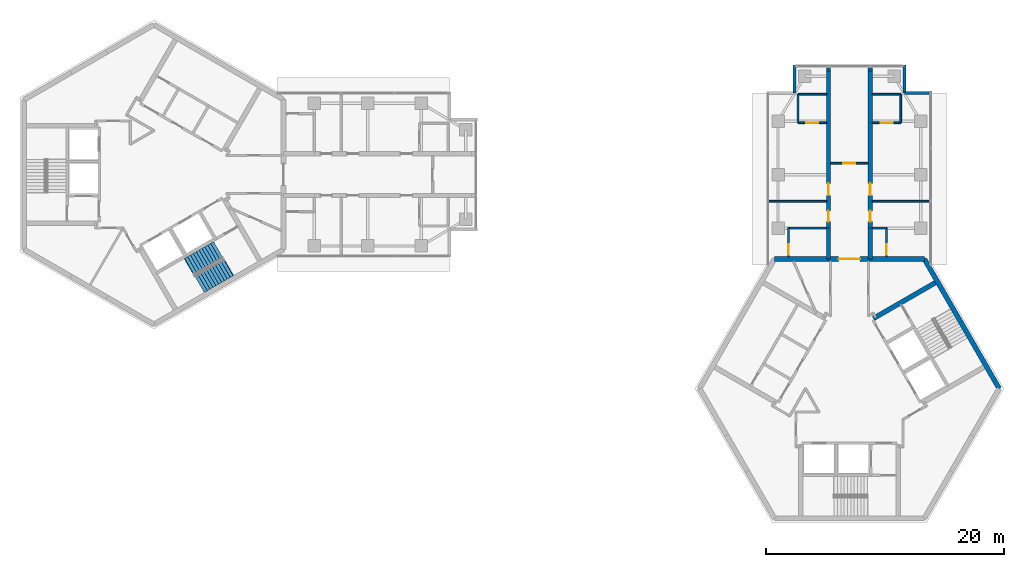
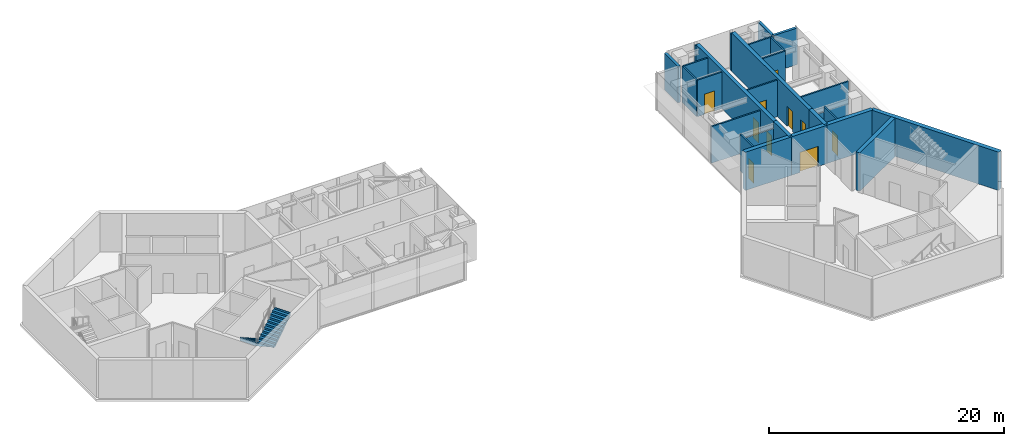
# One storey, part 9 of 11: 27 walls, 10 doors, 2 stair flights, 10 openings, 1 element without a shape of its own.
"""IFC4 building model written with IfcOpenShell, lengths in metres."""

from ifc_helpers import new_model, si_unit, direction, frame, frame_2d, origin, place, context, subcontext, project, spatial, polyline, rectangle, outline, extrude, material, layer, layer_set, type_object, element, fill, aggregate, save


model = new_model("IFC4")

# Units and contexts
model_context = context("Model", 3, precision=1e-05, world=origin(), true_north=direction((0.0, 1.0)))
body_context = subcontext(model_context, "Body", "Model", "MODEL_VIEW")
ifc_project = project(units=[si_unit("LENGTHUNIT", "METRE"), si_unit("AREAUNIT", "SQUARE_METRE"), si_unit("VOLUMEUNIT", "CUBIC_METRE"), si_unit("PLANEANGLEUNIT", "RADIAN"), si_unit("MASSUNIT", "GRAM", prefix="KILO")], contexts=[model_context])

# Site, building, storey
site_placement = place(None, origin())
site = spatial("IfcSite", under=ifc_project, at=site_placement, CompositionType="ELEMENT")
building_placement = place(site_placement, origin())
building = spatial("IfcBuilding", under=site, at=building_placement, Name="Upepo Twin Towers", CompositionType="ELEMENT")
storey_placement = place(building_placement, frame((0.0, 0.0, 251.5)))
storey = spatial("IfcBuildingStorey", under=building, at=storey_placement, Name="L61", CompositionType="ELEMENT", Elevation=251.5)

# Walls
ifc_material_1 = material(Name="Dense concrete blockwork", Category="masonry")
ifc_layer_1 = layer(ifc_material_1, 0.35009765625)
ifc_layer_set_1 = layer_set([ifc_layer_1], Name="Buttress closer 350, blockwork with fire-stopping to the curtain wall")
wall_type_1 = type_object("IfcWallType", Name="Buttress closer 350, blockwork with fire-stopping to the curtain wall", PredefinedType="PARTITIONING", material=ifc_layer_set_1)
for number, where, z_axis, x_axis, name in (
    (1, (56.75, 8.699951171875, 0.0), (0.0, 0.0, 1.0), (0.0, 1.0, 0.0), "T2 L61 wing A buttress closer L"),
    (2, (60.25, 8.699951171875, 0.0), (0.0, 0.0, 1.0), (0.0, 1.0, 0.0), "T2 L61 wing A buttress closer R"),
):
    element("IfcWall", number, at=place(storey_placement, frame(where, z_axis=z_axis, x_axis=x_axis)), inside=storey, type_object=wall_type_1, Name=name, PredefinedType="PARTITIONING", context=body_context, shape_type="SweptSolid", body=[
        extrude(rectangle(XDim=0.275146484375, YDim=0.35009765625, at=frame_2d((0.1376953125, 0.0))), origin(), (0.0, 0.0, 1.0), 3.800048828125),
    ])
ifc_material_2 = material(Name="Concrete C60/75", Category="concrete")
ifc_layer_2 = layer(ifc_material_2, 0.35009765625)
ifc_layer_set_2 = layer_set([ifc_layer_2], Name="Concrete C60/75")
wall_type_2 = type_object("IfcWallType", Name="Buttress wall 350 RC", PredefinedType="SHEAR", material=ifc_layer_set_2)
wall_1_placement = place(storey_placement, frame((56.75, -7.091552734375, 0.0), z_axis=(0.0, 0.0, 1.0), x_axis=(0.0, 1.0, 0.0)))
element("IfcWall", 3, at=wall_1_placement, inside=storey, type_object=wall_type_2, Name="T2 wing A buttress wall L", PredefinedType="SHEAR", context=body_context, shape_type="SweptSolid", body=[
    extrude(rectangle(XDim=2.591552734375, YDim=0.35009765625, at=frame_2d((1.2958984375, 0.0))), origin(), (0.0, 0.0, 1.0), 4.0),
])

# Wall, openings, doors
wall_2_placement = place(storey_placement, frame((56.75, -4.5, 0.0), z_axis=(0.0, 0.0, 1.0), x_axis=(0.0, 1.0, 0.0)))
wall_2 = element("IfcWall", 4, at=wall_2_placement, inside=storey, type_object=wall_type_2, Name="T2 wing A buttress wall L part 2", PredefinedType="SHEAR", context=body_context, shape_type="SweptSolid", body=[
    extrude(rectangle(XDim=13.199951171875, YDim=0.35009765625, at=frame_2d((6.60009765625, 0.0))), origin(), (0.0, 0.0, 1.0), 4.0),
])
opening_1_placement = place(wall_2_placement, frame((0.550048828125, 0.0, 0.0)))
opening_1 = element("IfcOpeningElement", 5, at=opening_1_placement, cuts=wall_2, Name="Opening D11", PredefinedType="OPENING", context=body_context, shape_type="SweptSolid", body=[
    extrude(rectangle(XDim=0.89990234375, YDim=2.10009765625, at=frame_2d((0.449951171875, 1.050048828125))), frame((0.0, 0.18505859375, 0.0), z_axis=(0.0, -1.0, 0.0), x_axis=(1.0, 0.0, 0.0)), (0.0, 0.0, 1.0), 0.3701171875),
])
opening_2_placement = place(wall_2_placement, frame((2.75, 0.0, 0.0)))
opening_2 = element("IfcOpeningElement", 6, at=opening_2_placement, cuts=wall_2, Name="Opening D1", PredefinedType="OPENING", context=body_context, shape_type="SweptSolid", body=[
    extrude(rectangle(XDim=1.0, YDim=2.10009765625, at=frame_2d((0.5, 1.050048828125))), frame((0.0, 0.18505859375, 0.0), z_axis=(0.0, -1.0, 0.0), x_axis=(1.0, 0.0, 0.0)), (0.0, 0.0, 1.0), 0.3701171875),
])
ifc_material_3 = material(Name="Timber doorset", Category="wood")
door_type_1 = type_object("IfcDoorType", Name="Room door 1000 FD30", OperationType="SINGLE_SWING_LEFT", PredefinedType="DOOR", material=ifc_material_3)
door_1_placement = place(opening_2_placement, origin())
door_1 = element("IfcDoor", 7, at=door_1_placement, inside=storey, type_object=door_type_1, Name="T2 L61 open-plan office door", OperationType="SINGLE_SWING_LEFT", OverallHeight=2.10009765625, OverallWidth=1.0, PredefinedType="DOOR", context=body_context, shape_type="SweptSolid", body=[
    extrude(rectangle(XDim=1.0, YDim=2.10009765625, at=frame_2d((0.5, 1.050048828125))), frame((0.0, 0.02490234375, 0.0), z_axis=(0.0, -1.0, 0.0), x_axis=(1.0, 0.0, 0.0)), (0.0, 0.0, 1.0), 0.050048828125),
])
fill(opening_2, door_1)
ifc_material_4 = material(Name="Timber doorset", Category="wood")
door_type_2 = type_object("IfcDoorType", Name="Toilet door 900", OperationType="SINGLE_SWING_LEFT", PredefinedType="DOOR", material=ifc_material_4)
door_2_placement = place(opening_1_placement, origin())
door_2 = element("IfcDoor", 8, at=door_2_placement, inside=storey, type_object=door_type_2, Name="T2 L61 accessible wc door", OperationType="SINGLE_SWING_LEFT", OverallHeight=2.10009765625, OverallWidth=0.89990234375, PredefinedType="DOOR", context=body_context, shape_type="SweptSolid", body=[
    extrude(rectangle(XDim=0.89990234375, YDim=2.10009765625, at=frame_2d((0.449951171875, 1.050048828125))), frame((0.0, 0.02490234375, 0.0), z_axis=(0.0, -1.0, 0.0), x_axis=(1.0, 0.0, 0.0)), (0.0, 0.0, 1.0), 0.050048828125),
])
fill(opening_1, door_2)

# Wall
wall_3_placement = place(storey_placement, frame((60.25, -7.091552734375, 0.0), z_axis=(0.0, 0.0, 1.0), x_axis=(0.0, 1.0, 0.0)))
element("IfcWall", 9, at=wall_3_placement, inside=storey, type_object=wall_type_2, Name="T2 wing A buttress wall R", PredefinedType="SHEAR", context=body_context, shape_type="SweptSolid", body=[
    extrude(rectangle(XDim=2.591552734375, YDim=0.35009765625, at=frame_2d((1.2958984375, 0.0))), origin(), (0.0, 0.0, 1.0), 4.0),
])

# Wall, openings, doors
wall_4_placement = place(storey_placement, frame((60.25, -4.5, 0.0), z_axis=(0.0, 0.0, 1.0), x_axis=(0.0, 1.0, 0.0)))
wall_4 = element("IfcWall", 10, at=wall_4_placement, inside=storey, type_object=wall_type_2, Name="T2 wing A buttress wall R part 2", PredefinedType="SHEAR", context=body_context, shape_type="SweptSolid", body=[
    extrude(rectangle(XDim=13.199951171875, YDim=0.35009765625, at=frame_2d((6.60009765625, 0.0))), origin(), (0.0, 0.0, 1.0), 4.0),
])
opening_3_placement = place(wall_4_placement, frame((0.550048828125, 0.0, 0.0)))
opening_3 = element("IfcOpeningElement", 11, at=opening_3_placement, cuts=wall_4, Name="Opening D11", PredefinedType="OPENING", context=body_context, shape_type="SweptSolid", body=[
    extrude(rectangle(XDim=0.89990234375, YDim=2.10009765625, at=frame_2d((0.449951171875, 1.050048828125))), frame((0.0, 0.18505859375, 0.0), z_axis=(0.0, -1.0, 0.0), x_axis=(1.0, 0.0, 0.0)), (0.0, 0.0, 1.0), 0.3701171875),
])
opening_4_placement = place(wall_4_placement, frame((2.75, 0.0, 0.0)))
opening_4 = element("IfcOpeningElement", 12, at=opening_4_placement, cuts=wall_4, Name="Opening D1", PredefinedType="OPENING", context=body_context, shape_type="SweptSolid", body=[
    extrude(rectangle(XDim=1.0, YDim=2.10009765625, at=frame_2d((0.5, 1.050048828125))), frame((0.0, 0.18505859375, 0.0), z_axis=(0.0, -1.0, 0.0), x_axis=(1.0, 0.0, 0.0)), (0.0, 0.0, 1.0), 0.3701171875),
])
door_3_placement = place(opening_4_placement, origin())
door_3 = element("IfcDoor", 13, at=door_3_placement, inside=storey, type_object=door_type_1, Name="T2 L61 open-plan office door", OperationType="SINGLE_SWING_LEFT", OverallHeight=2.10009765625, OverallWidth=1.0, PredefinedType="DOOR", context=body_context, shape_type="SweptSolid", body=[
    extrude(rectangle(XDim=1.0, YDim=2.10009765625, at=frame_2d((0.5, 1.050048828125))), frame((0.0, 0.02490234375, 0.0), z_axis=(0.0, -1.0, 0.0), x_axis=(1.0, 0.0, 0.0)), (0.0, 0.0, 1.0), 0.050048828125),
])
fill(opening_4, door_3)
door_4_placement = place(opening_3_placement, origin())
door_4 = element("IfcDoor", 14, at=door_4_placement, inside=storey, type_object=door_type_2, Name="T2 L61 toilets door", OperationType="SINGLE_SWING_LEFT", OverallHeight=2.10009765625, OverallWidth=0.89990234375, PredefinedType="DOOR", context=body_context, shape_type="SweptSolid", body=[
    extrude(rectangle(XDim=0.89990234375, YDim=2.10009765625, at=frame_2d((0.449951171875, 1.050048828125))), frame((0.0, 0.02490234375, 0.0), z_axis=(0.0, -1.0, 0.0), x_axis=(1.0, 0.0, 0.0)), (0.0, 0.0, 1.0), 0.050048828125),
])
fill(opening_3, door_4)

# Wall
ifc_material_5 = material(Name="Concrete C60/75", Category="concrete")
ifc_layer_3 = layer(ifc_material_5, 0.39990234375)
ifc_layer_set_3 = layer_set([ifc_layer_3], Name="Concrete C60/75")
wall_type_3 = type_object("IfcWallType", Name="Core wall 400 RC", PredefinedType="SHEAR", material=ifc_layer_set_3)
wall_5_placement = place(storey_placement, frame((64.7978515625, -7.091552734375, 0.0), z_axis=(0.0, 0.0, 1.0), x_axis=(-1.0, 0.0, 0.0)))
element("IfcWall", 15, at=wall_5_placement, inside=storey, type_object=wall_type_3, Name="T2 core wall 000 R", PredefinedType="SHEAR", context=body_context, shape_type="SweptSolid", body=[
    extrude(rectangle(XDim=4.5478515625, YDim=0.39990234375, at=frame_2d((2.27392578125, 0.0))), origin(), (0.0, 0.0, 1.0), 4.0),
])

# Wall, opening, door
wall_6_placement = place(storey_placement, frame((60.25, -7.091552734375, 0.0), z_axis=(0.0, 0.0, 1.0), x_axis=(-1.0, 0.0, 0.0)))
wall_6 = element("IfcWall", 16, at=wall_6_placement, inside=storey, type_object=wall_type_3, Name="T2 core wall 000", PredefinedType="SHEAR", context=body_context, shape_type="SweptSolid", body=[
    extrude(rectangle(XDim=3.5, YDim=0.39990234375, at=frame_2d((1.75, 0.0))), origin(), (0.0, 0.0, 1.0), 4.0),
])
opening_5_placement = place(wall_6_placement, frame((0.85009765625, 0.0, 0.0)))
opening_5 = element("IfcOpeningElement", 17, at=opening_5_placement, cuts=wall_6, Name="Opening D2", PredefinedType="OPENING", context=body_context, shape_type="SweptSolid", body=[
    extrude(rectangle(XDim=1.800048828125, YDim=2.10009765625, at=frame_2d((0.89990234375, 1.050048828125))), frame((0.0, 0.2099609375, 0.0), z_axis=(0.0, -1.0, 0.0), x_axis=(1.0, 0.0, 0.0)), (0.0, 0.0, 1.0), 0.419921875),
])
ifc_material_6 = material(Name="Timber doorset", Category="wood")
door_type_3 = type_object("IfcDoorType", Name="Corridor double door 1800 FD60", OperationType="DOUBLE_DOOR_DOUBLE_SWING", PredefinedType="DOOR", material=ifc_material_6)
door_5_placement = place(opening_5_placement, origin())
door_5 = element("IfcDoor", 18, at=door_5_placement, inside=storey, type_object=door_type_3, Name="T2 L61 wing A corridor door", OperationType="DOUBLE_DOOR_DOUBLE_SWING", OverallHeight=2.10009765625, OverallWidth=1.800048828125, PredefinedType="DOOR", context=body_context, shape_type="SweptSolid", body=[
    extrude(rectangle(XDim=1.800048828125, YDim=2.10009765625, at=frame_2d((0.89990234375, 1.050048828125))), frame((0.0, 0.02490234375, 0.0), z_axis=(0.0, -1.0, 0.0), x_axis=(1.0, 0.0, 0.0)), (0.0, 0.0, 1.0), 0.050048828125),
])
fill(opening_5, door_5)

# Walls
wall_7_placement = place(storey_placement, frame((56.75, -7.091552734375, 0.0), z_axis=(0.0, 0.0, 1.0), x_axis=(-1.0, 0.0, 0.0)))
element("IfcWall", 19, at=wall_7_placement, inside=storey, type_object=wall_type_3, Name="T2 core wall 000 L", PredefinedType="SHEAR", context=body_context, shape_type="SweptSolid", body=[
    extrude(rectangle(XDim=4.5478515625, YDim=0.39990234375, at=frame_2d((2.27392578125, 0.0))), origin(), (0.0, 0.0, 1.0), 4.0),
])
wall_8_placement = place(storey_placement, frame((71.095947265625, -18.0, 0.0), z_axis=(0.0, 0.0, 1.0), x_axis=(-0.500005998175, 0.866021940709, 0.0)))
element("IfcWall", 20, at=wall_8_placement, inside=storey, type_object=wall_type_3, Name="T2 core wall 300", PredefinedType="SHEAR", context=body_context, shape_type="SweptSolid", body=[
    extrude(rectangle(XDim=12.595947265625, YDim=0.39990234375, at=frame_2d((6.2978515625, 0.0))), origin(), (0.0, 0.0, 1.0), 4.0),
])
ifc_material_7 = material(Name="Blockwork with anodised aluminium cladding", Category="masonry")
ifc_layer_4 = layer(ifc_material_7, 0.25)
ifc_layer_set_4 = layer_set([ifc_layer_4], Name="Notch cladding wall 250, pale metal")
wall_type_4 = type_object("IfcWallType", Name="Notch cladding wall 250, pale metal", PredefinedType="STANDARD", material=ifc_layer_set_4)
for number, where, z_axis, x_axis, name in (
    (21, (53.875, 6.875, 0.0), (0.0, 0.0, 1.0), (0.0, 1.0, 0.0), "T2 L61 wing A notch wall L2"),
    (22, (65.449951171875, 6.875, 0.0), (0.0, 0.0, 1.0), (-1.0, 0.0, 0.0), "T2 L61 wing A notch wall R1"),
    (23, (63.125, 6.875, 0.0), (0.0, 0.0, 1.0), (0.0, 1.0, 0.0), "T2 L61 wing A notch wall R2"),
):
    element("IfcWall", number, at=place(storey_placement, frame(where, z_axis=z_axis, x_axis=x_axis)), inside=storey, type_object=wall_type_4, Name=name, PredefinedType="STANDARD", context=body_context, shape_type="SweptSolid", body=[
        extrude(rectangle(XDim=2.324951171875, YDim=0.25, at=frame_2d((1.16259765625, 0.0))), origin(), (0.0, 0.0, 1.0), 3.800048828125),
    ])
ifc_material_8 = material(Name="Concrete C40/50", Category="concrete")
ifc_layer_5 = layer(ifc_material_8, 0.39990234375)
ifc_layer_set_5 = layer_set([ifc_layer_5], Name="Concrete C40/50")
wall_type_5 = type_object("IfcWallType", Name="Shaft wall 400 RC", PredefinedType="SHEAR", material=ifc_layer_set_5)
wall_9_placement = place(storey_placement, frame((60.520263671875, -12.099365234375, 0.0), z_axis=(0.0, 0.0, 1.0), x_axis=(0.866026570101, 0.499997979876, 0.0)))
element("IfcWall", 24, at=wall_9_placement, inside=storey, type_object=wall_type_5, Name="T2 core W300 side wall N", PredefinedType="SHEAR", context=body_context, shape_type="SweptSolid", body=[
    extrude(rectangle(XDim=6.00830078125, YDim=0.39990234375, at=frame_2d((3.004150390625, 0.0))), origin(), (0.0, 0.0, 1.0), 4.0),
])
ifc_material_9 = material(Name="Gypsum board on steel studs", Category="steel")
ifc_layer_6 = layer(ifc_material_9, 0.14990234375)
ifc_layer_set_6 = layer_set([ifc_layer_6], Name="Teaching partition 150 acoustic")
wall_type_6 = type_object("IfcWallType", Name="Teaching partition 150 acoustic", PredefinedType="PARTITIONING", material=ifc_layer_set_6)
wall_10_placement = place(storey_placement, frame((56.574951171875, -2.25, 0.0), z_axis=(0.0, 0.0, 1.0), x_axis=(-1.0, 0.0, 0.0)))
element("IfcWall", 25, at=wall_10_placement, inside=storey, type_object=wall_type_6, Name="T2 partition AL at 15.75", PredefinedType="PARTITIONING", context=body_context, shape_type="SweptSolid", body=[
    extrude(rectangle(XDim=4.824951171875, YDim=0.14990234375, at=frame_2d((2.41259765625, 0.0))), origin(), (0.0, 0.0, 1.0), 3.800048828125),
])
wall_11_placement = place(storey_placement, frame((54.175048828125, 4.35009765625, 0.0), z_axis=(0.0, 0.0, 1.0), x_axis=(0.0, 1.0, 0.0)))
element("IfcWall", 26, at=wall_11_placement, inside=storey, type_object=wall_type_6, Name="T2 inner room partition AL at 22.35", PredefinedType="PARTITIONING", context=body_context, shape_type="SweptSolid", body=[
    extrude(rectangle(XDim=2.39990234375, YDim=0.14990234375, at=frame_2d((1.199951171875, 0.0))), origin(), (0.0, 0.0, 1.0), 3.800048828125),
])

# Wall, opening, door
wall_12_placement = place(storey_placement, frame((56.574951171875, 4.35009765625, 0.0), z_axis=(0.0, 0.0, 1.0), x_axis=(-1.0, 0.0, 0.0)))
wall_12 = element("IfcWall", 27, at=wall_12_placement, inside=storey, type_object=wall_type_6, Name="T2 inner room partition AL end at 22.35", PredefinedType="PARTITIONING", context=body_context, shape_type="SweptSolid", body=[
    extrude(rectangle(XDim=2.39990234375, YDim=0.14990234375, at=frame_2d((1.199951171875, 0.0))), origin(), (0.0, 0.0, 1.0), 3.800048828125),
])
opening_6_placement = place(wall_12_placement, frame((0.699951171875, 0.0, 0.0)))
opening_6 = element("IfcOpeningElement", 28, at=opening_6_placement, cuts=wall_12, Name="Opening D1", PredefinedType="OPENING", context=body_context, shape_type="SweptSolid", body=[
    extrude(rectangle(XDim=1.0, YDim=2.10009765625, at=frame_2d((0.5, 1.050048828125))), frame((0.0, 0.0849609375, 0.0), z_axis=(0.0, -1.0, 0.0), x_axis=(1.0, 0.0, 0.0)), (0.0, 0.0, 1.0), 0.169921875),
])
door_6_placement = place(opening_6_placement, origin())
door_6 = element("IfcDoor", 29, at=door_6_placement, inside=storey, type_object=door_type_1, Name="T2 L61 inner room door", OperationType="SINGLE_SWING_LEFT", OverallHeight=2.10009765625, OverallWidth=1.0, PredefinedType="DOOR", context=body_context, shape_type="SweptSolid", body=[
    extrude(rectangle(XDim=1.0, YDim=2.10009765625, at=frame_2d((0.5, 1.050048828125))), frame((0.0, 0.02490234375, 0.0), z_axis=(0.0, -1.0, 0.0), x_axis=(1.0, 0.0, 0.0)), (0.0, 0.0, 1.0), 0.050048828125),
])
fill(opening_6, door_6)

# Wall
wall_13_placement = place(storey_placement, frame((56.574951171875, 6.75, 0.0), z_axis=(0.0, 0.0, 1.0), x_axis=(-1.0, 0.0, 0.0)))
element("IfcWall", 30, at=wall_13_placement, inside=storey, type_object=wall_type_6, Name="T2 inner room partition AL end at 24.75", PredefinedType="PARTITIONING", context=body_context, shape_type="SweptSolid", body=[
    extrude(rectangle(XDim=2.39990234375, YDim=0.14990234375, at=frame_2d((1.199951171875, 0.0))), origin(), (0.0, 0.0, 1.0), 3.800048828125),
])

# Wall, opening, door
wall_14_placement = place(storey_placement, frame((53.375, -6.89208984375, 0.0), z_axis=(0.0, 0.0, 1.0), x_axis=(0.0, 1.0, 0.0)))
wall_14 = element("IfcWall", 31, at=wall_14_placement, inside=storey, type_object=wall_type_6, Name="T2 WC bay partition AL at 11.11", PredefinedType="PARTITIONING", context=body_context, shape_type="SweptSolid", body=[
    extrude(rectangle(XDim=2.400146484375, YDim=0.14990234375, at=frame_2d((1.2001953125, 0.0))), origin(), (0.0, 0.0, 1.0), 3.800048828125),
])
opening_7_placement = place(wall_14_placement, frame((0.14990234375, 0.0, 0.0)))
opening_7 = element("IfcOpeningElement", 32, at=opening_7_placement, cuts=wall_14, Name="Opening D14", PredefinedType="OPENING", context=body_context, shape_type="SweptSolid", body=[
    extrude(rectangle(XDim=0.89990234375, YDim=2.10009765625, at=frame_2d((0.449951171875, 1.050048828125))), frame((0.0, 0.0849609375, 0.0), z_axis=(0.0, -1.0, 0.0), x_axis=(1.0, 0.0, 0.0)), (0.0, 0.0, 1.0), 0.169921875),
])
ifc_material_10 = material(Name="Timber doorset", Category="wood")
door_type_4 = type_object("IfcDoorType", Name="Office door 900 FD30", OperationType="SINGLE_SWING_LEFT", PredefinedType="DOOR", material=ifc_material_10)
door_7_placement = place(opening_7_placement, origin())
door_7 = element("IfcDoor", 33, at=door_7_placement, inside=storey, type_object=door_type_4, Name="T2 L61 WC bay inner room door", OperationType="SINGLE_SWING_LEFT", OverallHeight=2.10009765625, OverallWidth=0.89990234375, PredefinedType="DOOR", context=body_context, shape_type="SweptSolid", body=[
    extrude(rectangle(XDim=0.89990234375, YDim=2.10009765625, at=frame_2d((0.449951171875, 1.050048828125))), frame((0.0, 0.02490234375, 0.0), z_axis=(0.0, -1.0, 0.0), x_axis=(1.0, 0.0, 0.0)), (0.0, 0.0, 1.0), 0.050048828125),
])
fill(opening_7, door_7)

# Walls
wall_15_placement = place(storey_placement, frame((56.574951171875, -4.491943359375, 0.0), z_axis=(0.0, 0.0, 1.0), x_axis=(-1.0, 0.0, 0.0)))
element("IfcWall", 34, at=wall_15_placement, inside=storey, type_object=wall_type_6, Name="T2 WC bay partition AL end at 13.51", PredefinedType="PARTITIONING", context=body_context, shape_type="SweptSolid", body=[
    extrude(rectangle(XDim=3.199951171875, YDim=0.14990234375, at=frame_2d((1.60009765625, 0.0))), origin(), (0.0, 0.0, 1.0), 3.266845703125),
])
wall_16_placement = place(storey_placement, frame((60.425048828125, -2.25, 0.0), z_axis=(0.0, 0.0, 1.0), x_axis=(1.0, 0.0, 0.0)))
element("IfcWall", 35, at=wall_16_placement, inside=storey, type_object=wall_type_6, Name="T2 partition AR at 15.75", PredefinedType="PARTITIONING", context=body_context, shape_type="SweptSolid", body=[
    extrude(rectangle(XDim=4.824951171875, YDim=0.14990234375, at=frame_2d((2.41259765625, 0.0))), origin(), (0.0, 0.0, 1.0), 3.800048828125),
])
wall_17_placement = place(storey_placement, frame((62.824951171875, 4.35009765625, 0.0), z_axis=(0.0, 0.0, 1.0), x_axis=(0.0, 1.0, 0.0)))
element("IfcWall", 36, at=wall_17_placement, inside=storey, type_object=wall_type_6, Name="T2 inner room partition AR at 22.35", PredefinedType="PARTITIONING", context=body_context, shape_type="SweptSolid", body=[
    extrude(rectangle(XDim=2.39990234375, YDim=0.14990234375, at=frame_2d((1.199951171875, 0.0))), origin(), (0.0, 0.0, 1.0), 3.800048828125),
])

# Wall, opening, door
wall_18_placement = place(storey_placement, frame((60.425048828125, 4.35009765625, 0.0), z_axis=(0.0, 0.0, 1.0), x_axis=(1.0, 0.0, 0.0)))
wall_18 = element("IfcWall", 37, at=wall_18_placement, inside=storey, type_object=wall_type_6, Name="T2 inner room partition AR end at 22.35", PredefinedType="PARTITIONING", context=body_context, shape_type="SweptSolid", body=[
    extrude(rectangle(XDim=2.39990234375, YDim=0.14990234375, at=frame_2d((1.199951171875, 0.0))), origin(), (0.0, 0.0, 1.0), 3.800048828125),
])
opening_8_placement = place(wall_18_placement, frame((0.699951171875, 0.0, 0.0)))
opening_8 = element("IfcOpeningElement", 38, at=opening_8_placement, cuts=wall_18, Name="Opening D1", PredefinedType="OPENING", context=body_context, shape_type="SweptSolid", body=[
    extrude(rectangle(XDim=1.0, YDim=2.10009765625, at=frame_2d((0.5, 1.050048828125))), frame((0.0, 0.0849609375, 0.0), z_axis=(0.0, -1.0, 0.0), x_axis=(1.0, 0.0, 0.0)), (0.0, 0.0, 1.0), 0.169921875),
])
door_8_placement = place(opening_8_placement, origin())
door_8 = element("IfcDoor", 39, at=door_8_placement, inside=storey, type_object=door_type_1, Name="T2 L61 inner room door", OperationType="SINGLE_SWING_LEFT", OverallHeight=2.10009765625, OverallWidth=1.0, PredefinedType="DOOR", context=body_context, shape_type="SweptSolid", body=[
    extrude(rectangle(XDim=1.0, YDim=2.10009765625, at=frame_2d((0.5, 1.050048828125))), frame((0.0, 0.02490234375, 0.0), z_axis=(0.0, -1.0, 0.0), x_axis=(1.0, 0.0, 0.0)), (0.0, 0.0, 1.0), 0.050048828125),
])
fill(opening_8, door_8)

# Wall
wall_19_placement = place(storey_placement, frame((60.425048828125, 6.75, 0.0), z_axis=(0.0, 0.0, 1.0), x_axis=(1.0, 0.0, 0.0)))
element("IfcWall", 40, at=wall_19_placement, inside=storey, type_object=wall_type_6, Name="T2 inner room partition AR end at 24.75", PredefinedType="PARTITIONING", context=body_context, shape_type="SweptSolid", body=[
    extrude(rectangle(XDim=2.39990234375, YDim=0.14990234375, at=frame_2d((1.199951171875, 0.0))), origin(), (0.0, 0.0, 1.0), 3.800048828125),
])

# Wall, opening, door
wall_20_placement = place(storey_placement, frame((61.625, -6.89208984375, 0.0), z_axis=(0.0, 0.0, 1.0), x_axis=(0.0, 1.0, 0.0)))
wall_20 = element("IfcWall", 41, at=wall_20_placement, inside=storey, type_object=wall_type_6, Name="T2 WC bay partition AR at 11.11", PredefinedType="PARTITIONING", context=body_context, shape_type="SweptSolid", body=[
    extrude(rectangle(XDim=2.400146484375, YDim=0.14990234375, at=frame_2d((1.2001953125, 0.0))), origin(), (0.0, 0.0, 1.0), 3.800048828125),
])
opening_9_placement = place(wall_20_placement, frame((0.14990234375, 0.0, 0.0)))
opening_9 = element("IfcOpeningElement", 42, at=opening_9_placement, cuts=wall_20, Name="Opening D14", PredefinedType="OPENING", context=body_context, shape_type="SweptSolid", body=[
    extrude(rectangle(XDim=0.89990234375, YDim=2.10009765625, at=frame_2d((0.449951171875, 1.050048828125))), frame((0.0, 0.0849609375, 0.0), z_axis=(0.0, -1.0, 0.0), x_axis=(1.0, 0.0, 0.0)), (0.0, 0.0, 1.0), 0.169921875),
])
door_9_placement = place(opening_9_placement, origin())
door_9 = element("IfcDoor", 43, at=door_9_placement, inside=storey, type_object=door_type_4, Name="T2 L61 WC bay inner room door", OperationType="SINGLE_SWING_LEFT", OverallHeight=2.10009765625, OverallWidth=0.89990234375, PredefinedType="DOOR", context=body_context, shape_type="SweptSolid", body=[
    extrude(rectangle(XDim=0.89990234375, YDim=2.10009765625, at=frame_2d((0.449951171875, 1.050048828125))), frame((0.0, 0.02490234375, 0.0), z_axis=(0.0, -1.0, 0.0), x_axis=(1.0, 0.0, 0.0)), (0.0, 0.0, 1.0), 0.050048828125),
])
fill(opening_9, door_9)

# Wall
wall_21_placement = place(storey_placement, frame((60.425048828125, -4.491943359375, 0.0), z_axis=(0.0, 0.0, 1.0), x_axis=(1.0, 0.0, 0.0)))
element("IfcWall", 44, at=wall_21_placement, inside=storey, type_object=wall_type_6, Name="T2 WC bay partition AR end at 13.51", PredefinedType="PARTITIONING", context=body_context, shape_type="SweptSolid", body=[
    extrude(rectangle(XDim=1.199951171875, YDim=0.14990234375, at=frame_2d((0.60009765625, 0.0))), origin(), (0.0, 0.0, 1.0), 3.266845703125),
])

# Wall, opening, door
wall_22_placement = place(storey_placement, frame((60.074951171875, 0.949951171875, 0.0), z_axis=(0.0, 0.0, 1.0), x_axis=(-1.0, 0.0, 0.0)))
wall_22 = element("IfcWall", 45, at=wall_22_placement, inside=storey, type_object=wall_type_6, Name="T2 corridor end partition A at 18.95", PredefinedType="PARTITIONING", context=body_context, shape_type="SweptSolid", body=[
    extrude(rectangle(XDim=3.14990234375, YDim=0.14990234375, at=frame_2d((1.574951171875, 0.0))), origin(), (0.0, 0.0, 1.0), 3.800048828125),
])
opening_10_placement = place(wall_22_placement, frame((1.074951171875, 0.0, 0.0)))
opening_10 = element("IfcOpeningElement", 46, at=opening_10_placement, cuts=wall_22, Name="Opening D1", PredefinedType="OPENING", context=body_context, shape_type="SweptSolid", body=[
    extrude(rectangle(XDim=1.0, YDim=2.10009765625, at=frame_2d((0.5, 1.050048828125))), frame((0.0, 0.0849609375, 0.0), z_axis=(0.0, -1.0, 0.0), x_axis=(1.0, 0.0, 0.0)), (0.0, 0.0, 1.0), 0.169921875),
])
door_10_placement = place(opening_10_placement, origin())
door_10 = element("IfcDoor", 47, at=door_10_placement, inside=storey, type_object=door_type_1, Name="T2 L61 breakout study room door", OperationType="SINGLE_SWING_LEFT", OverallHeight=2.10009765625, OverallWidth=1.0, PredefinedType="DOOR", context=body_context, shape_type="SweptSolid", body=[
    extrude(rectangle(XDim=1.0, YDim=2.10009765625, at=frame_2d((0.5, 1.050048828125))), frame((0.0, 0.02490234375, 0.0), z_axis=(0.0, -1.0, 0.0), x_axis=(1.0, 0.0, 0.0)), (0.0, 0.0, 1.0), 0.050048828125),
])
fill(opening_10, door_10)

# Stair, stair flights
ifc_material_11 = material(Name="Concrete C40/50", Category="concrete")
stair_type = type_object("IfcStairType", Name="Core stair, two flights", PredefinedType="HALF_TURN_STAIR", material=ifc_material_11)
stair_placement = place(storey_placement, origin())
stair = element("IfcStair", 48, at=stair_placement, inside=storey, type_object=stair_type, Name="T1 stair S2 L61", PredefinedType="HALF_TURN_STAIR")
ifc_material_12 = material(Name="Concrete C40/50", Category="concrete")
stair_flight_type = type_object("IfcStairFlightType", Name="Stair flight 1600 RC", PredefinedType="STRAIGHT", material=ifc_material_12)
stair_flight_1_placement = place(storey_placement, frame((5.416259765625, -6.34130859375, 0.0), z_axis=(0.0, 0.0, 1.0), x_axis=(-0.866025403784, -0.5, 0.0)))
stair_flight_1 = element("IfcStairFlight", 49, at=stair_flight_1_placement, type_object=stair_flight_type, Name="Stair S2 flight 1", NumberOfRisers=11, NumberOfTreads=10, PredefinedType="STRAIGHT", RiserHeight=0.181818182, TreadLength=0.28, context=body_context, shape_type="SweptSolid", body=[
    extrude(outline(polyline([(0.0, 0.0), (0.0, 0.181884765625), (0.280029296875, 0.181884765625), (0.280029296875, 0.363525390625), (0.56005859375, 0.363525390625), (0.56005859375, 0.54541015625), (0.840087890625, 0.54541015625), (0.840087890625, 0.727294921875), (1.1201171875, 0.727294921875), (1.1201171875, 0.9091796875), (1.39990234375, 0.9091796875), (1.39990234375, 1.0908203125), (1.679931640625, 1.0908203125), (1.679931640625, 1.272705078125), (1.9599609375, 1.272705078125), (1.9599609375, 1.45458984375), (2.239990234375, 1.45458984375), (2.239990234375, 1.636474609375), (2.52001953125, 1.636474609375), (2.52001953125, 1.818115234375), (2.800048828125, 1.818115234375), (2.800048828125, 2.0), (2.85009765625, 2.0), (2.85009765625, 1.639404296875), (0.3251953125, 0.0), (0.0, 0.0)])), frame((0.0, 0.800048828125, 0.0), z_axis=(0.0, -1.0, 0.0), x_axis=(1.0, 0.0, 0.0)), (0.0, 0.0, 1.0), 1.60009765625),
])
stair_flight_2_placement = place(storey_placement, frame((3.845703125, -9.220947265625, 2.0), z_axis=(0.0, 0.0, 1.0), x_axis=(0.866025403784, 0.5, 0.0)))
stair_flight_2 = element("IfcStairFlight", 50, at=stair_flight_2_placement, type_object=stair_flight_type, Name="Stair S2 flight 2", NumberOfRisers=11, NumberOfTreads=10, PredefinedType="STRAIGHT", RiserHeight=0.181818182, TreadLength=0.28, context=body_context, shape_type="SweptSolid", body=[
    extrude(outline(polyline([(0.0, 0.0), (0.0, 0.181884765625), (0.280029296875, 0.181884765625), (0.280029296875, 0.363525390625), (0.56005859375, 0.363525390625), (0.56005859375, 0.54541015625), (0.840087890625, 0.54541015625), (0.840087890625, 0.727294921875), (1.1201171875, 0.727294921875), (1.1201171875, 0.9091796875), (1.39990234375, 0.9091796875), (1.39990234375, 1.0908203125), (1.679931640625, 1.0908203125), (1.679931640625, 1.272705078125), (1.9599609375, 1.272705078125), (1.9599609375, 1.45458984375), (2.239990234375, 1.45458984375), (2.239990234375, 1.636474609375), (2.52001953125, 1.636474609375), (2.52001953125, 1.818115234375), (2.800048828125, 1.818115234375), (2.800048828125, 2.0), (2.85009765625, 2.0), (2.85009765625, 1.639404296875), (0.3251953125, 0.0), (0.0, 0.0)])), frame((0.0, 0.800048828125, 0.0), z_axis=(0.0, -1.0, 0.0), x_axis=(1.0, 0.0, 0.0)), (0.0, 0.0, 1.0), 1.60009765625),
])
aggregate(stair, [stair_flight_1, stair_flight_2])

save(model, "model.ifc")
